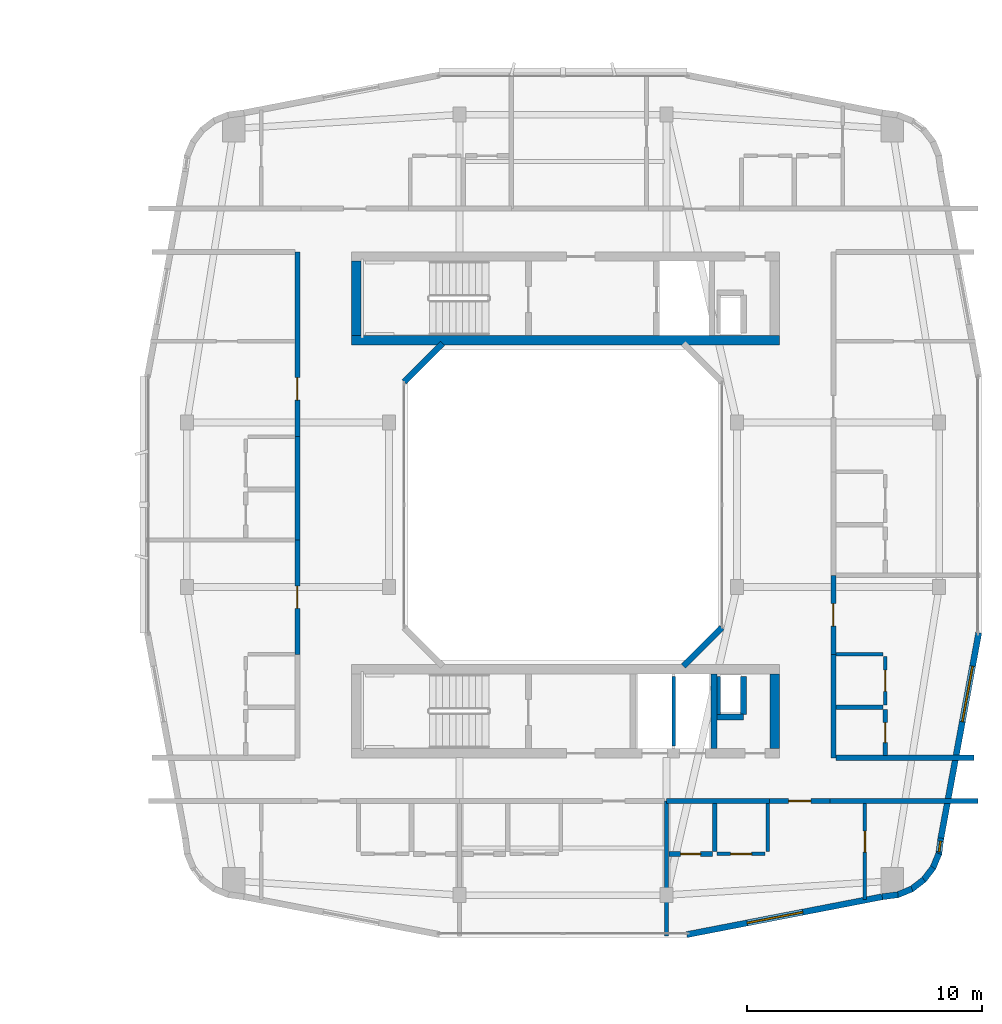
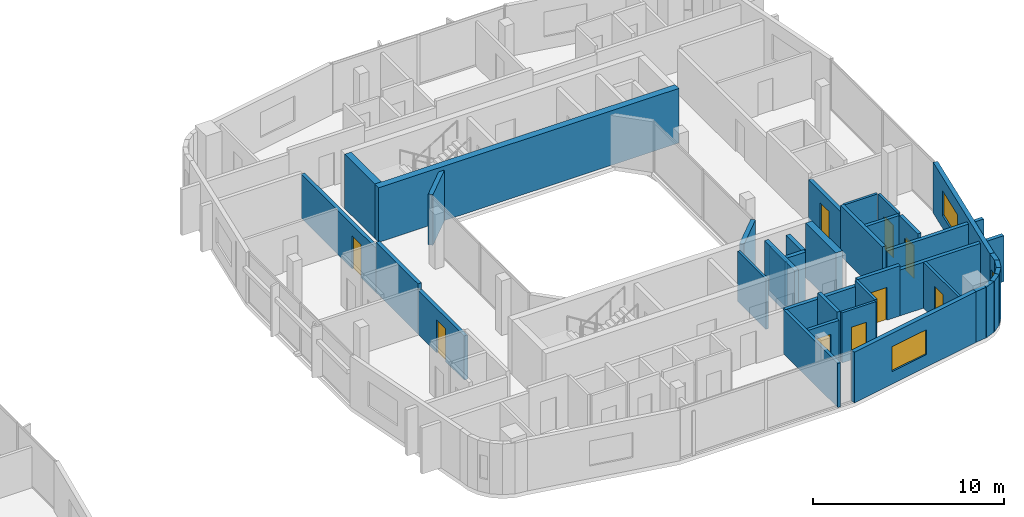
# One storey, part 18 of 26: 37 walls, 9 doors, 3 windows, 12 openings.
"""IFC4 building model written with IfcOpenShell, lengths in metres."""

from ifc_helpers import new_model, si_unit, derived_unit, direction, frame, frame_2d, origin, place, context, subcontext, project, spatial, rectangle, extrude, material, layer, layer_set, type_object, element, fill, save


model = new_model("IFC4")

# Units and contexts
model_context = context("Model", 3, precision=1e-05, world=origin(), true_north=direction((0.0, 1.0)))
body_context = subcontext(model_context, "Body", "Model", "MODEL_VIEW")
ifc_project = project(units=[si_unit("LENGTHUNIT", "METRE"), si_unit("AREAUNIT", "SQUARE_METRE"), si_unit("VOLUMEUNIT", "CUBIC_METRE"), si_unit("PLANEANGLEUNIT", "RADIAN"), si_unit("MASSUNIT", "GRAM", prefix="KILO"), derived_unit("THERMALTRANSMITTANCEUNIT", [(si_unit("POWERUNIT", "WATT"), 1), (si_unit("LENGTHUNIT", "METRE"), -2), (si_unit("THERMODYNAMICTEMPERATUREUNIT", "KELVIN"), -1)])], contexts=[model_context])

# Site, building, storey
site_placement = place(None, origin())
site = spatial("IfcSite", under=ifc_project, at=site_placement, CompositionType="ELEMENT")
building_placement = place(site_placement, origin())
building = spatial("IfcBuilding", under=site, at=building_placement, Name="Kivonza Crest Hotel", CompositionType="ELEMENT")
storey_placement = place(building_placement, frame((0.0, 0.0, 109.0)))
storey = spatial("IfcBuildingStorey", under=building, at=storey_placement, Name="L29", CompositionType="ELEMENT", Elevation=109.0)

# Walls
ifc_material_1 = material(Name="High-density acoustic masonry inter-tenancy wall", Category="masonry")
ifc_layer_1 = layer(ifc_material_1, 0.179931640625)
ifc_layer_set_1 = layer_set([ifc_layer_1], Name="High-density acoustic masonry inter-tenancy wall")
wall_type_1 = type_object("IfcWallType", Name="WL-ACOU-180", PredefinedType="SOLIDWALL", material=ifc_layer_set_1)
wall_1_placement = place(storey_placement, frame((81.39990234375, 6.659912109375, 0.0), z_axis=(0.0, 0.0, 1.0), x_axis=(0.0, 1.0, 0.0)))
element("IfcWall", 1, at=wall_1_placement, inside=storey, type_object=wall_type_1, Name="L29 interior partition WA-L29-T2S-DIV2", PredefinedType="SOLIDWALL", context=body_context, shape_type="SweptSolid", body=[
    extrude(rectangle(XDim=5.739990234375, YDim=0.179931640625, at=frame_2d((2.8701171875, 0.0))), origin(), (0.0, 0.0, 1.0), 2.824951171875),
])
ifc_material_2 = material(Name="Autoclaved aerated concrete blockwork", Category="masonry")
ifc_layer_2 = layer(ifc_material_2, 0.219970703125)
ifc_layer_set_2 = layer_set([ifc_layer_2], Name="Autoclaved aerated concrete blockwork")
wall_type_2 = type_object("IfcWallType", Name="WL-ACOU-220", PredefinedType="SOLIDWALL", material=ifc_layer_set_2)
wall_2_placement = place(storey_placement, frame((81.39990234375, 12.39990234375, 0.0), z_axis=(0.0, 0.0, 1.0), x_axis=(1.0, 0.0, 0.0)))
element("IfcWall", 2, at=wall_2_placement, inside=storey, type_object=wall_type_2, Name="L29 interior partition WA-L29-A05-LCORR", PredefinedType="SOLIDWALL", context=body_context, shape_type="SweptSolid", body=[
    extrude(rectangle(XDim=4.380126953125, YDim=0.219970703125, at=frame_2d((2.18994140625, 0.0))), origin(), (0.0, 0.0, 1.0), 2.824951171875),
])
wall_3_placement = place(storey_placement, frame((88.35009765625, 12.39990234375, 0.0), z_axis=(0.0, 0.0, 1.0), x_axis=(1.0, 0.0, 0.0)))
element("IfcWall", 3, at=wall_3_placement, inside=storey, type_object=wall_type_2, Name="L29 interior partition WA-L29-A05-RCORR", PredefinedType="SOLIDWALL", context=body_context, shape_type="SweptSolid", body=[
    extrude(rectangle(XDim=6.289794921875, YDim=0.219970703125, at=frame_2d((3.14501953125, 0.0))), origin(), (0.0, 0.0, 1.0), 2.945068359375),
])

# Wall, opening, door
wall_4_placement = place(storey_placement, frame((85.780029296875, 12.39990234375, 0.0), z_axis=(0.0, 0.0, 1.0), x_axis=(1.0, 0.0, 0.0)))
wall_4 = element("IfcWall", 4, at=wall_4_placement, inside=storey, type_object=wall_type_2, Name="L29 interior partition WA-L29-A05-MCORR", PredefinedType="SOLIDWALL", context=body_context, shape_type="SweptSolid", body=[
    extrude(rectangle(XDim=2.570068359375, YDim=0.219970703125, at=frame_2d((1.28515625, 0.0))), origin(), (0.0, 0.0, 1.0), 3.219970703125),
])
opening_1_placement = place(wall_4_placement, frame((0.81005859375, 0.0, 0.0)))
opening_1 = element("IfcOpeningElement", 5, at=opening_1_placement, cuts=wall_4, Name="Opening DU-60", PredefinedType="OPENING", context=body_context, shape_type="SweptSolid", body=[
    extrude(rectangle(XDim=0.949951171875, YDim=2.10009765625, at=frame_2d((0.47509765625, 1.050048828125))), frame((0.0, 0.1201171875, 0.0), z_axis=(0.0, -1.0, 0.0), x_axis=(1.0, 0.0, 0.0)), (0.0, 0.0, 1.0), 0.239990234375),
])
ifc_material_3 = material(Name="Hardwood timber oak", Category="wood")
door_type_1 = type_object("IfcDoorType", Name="DR-UNIT-950", OperationType="NOTDEFINED", PredefinedType="DOOR", material=ifc_material_3)
door_1_placement = place(opening_1_placement, frame((0.949951171875, 0.0, 0.0), z_axis=(0.0, 0.0, 1.0), x_axis=(-1.0, 0.0, 0.0)))
door_1 = element("IfcDoor", 6, at=door_1_placement, inside=storey, type_object=door_type_1, Name="L29 A05 apartment entrance fire door", OperationType="SINGLE_SWING_LEFT", OverallHeight=2.10009765625, OverallWidth=0.949951171875, PredefinedType="DOOR", context=body_context, shape_type="SweptSolid", body=[
    extrude(rectangle(XDim=0.949951171875, YDim=2.10009765625, at=frame_2d((0.47509765625, 1.050048828125))), frame((0.0, 0.02490234375, 0.0), z_axis=(0.0, -1.0, 0.0), x_axis=(1.0, 0.0, 0.0)), (0.0, 0.0, 1.0), 0.050048828125),
])
fill(opening_1, door_1)

wall_5_placement = place(storey_placement, frame((65.699951171875, 18.639892578125, 0.0), z_axis=(0.0, 0.0, 1.0), x_axis=(0.0, 1.0, 0.0)))
wall_5 = element("IfcWall", 7, at=wall_5_placement, inside=storey, type_object=wall_type_2, Name="L29 interior partition WA-L29-A06-MCORR", PredefinedType="SOLIDWALL", context=body_context, shape_type="SweptSolid", body=[
    extrude(rectangle(XDim=4.860107421875, YDim=0.219970703125, at=frame_2d((2.43017578125, 0.0))), origin(), (0.0, 0.0, 1.0), 2.824951171875),
])
opening_2_placement = place(wall_5_placement, frame((1.955078125, 0.0, 0.0)))
opening_2 = element("IfcOpeningElement", 8, at=opening_2_placement, cuts=wall_5, Name="Opening DU-60", PredefinedType="OPENING", context=body_context, shape_type="SweptSolid", body=[
    extrude(rectangle(XDim=0.949951171875, YDim=2.10009765625, at=frame_2d((0.47509765625, 1.050048828125))), frame((0.0, 0.1201171875, 0.0), z_axis=(0.0, -1.0, 0.0), x_axis=(1.0, 0.0, 0.0)), (0.0, 0.0, 1.0), 0.239990234375),
])
door_2_placement = place(opening_2_placement, origin())
door_2 = element("IfcDoor", 9, at=door_2_placement, inside=storey, type_object=door_type_1, Name="L29 A06 apartment entrance fire door", OperationType="SINGLE_SWING_RIGHT", OverallHeight=2.10009765625, OverallWidth=0.949951171875, PredefinedType="DOOR", context=body_context, shape_type="SweptSolid", body=[
    extrude(rectangle(XDim=0.949951171875, YDim=2.10009765625, at=frame_2d((0.47509765625, 1.050048828125))), frame((0.0, 0.02490234375, 0.0), z_axis=(0.0, -1.0, 0.0), x_axis=(1.0, 0.0, 0.0)), (0.0, 0.0, 1.0), 0.050048828125),
])
fill(opening_2, door_2)

# Wall
wall_6_placement = place(storey_placement, frame((65.699951171875, 23.5, 0.0), z_axis=(0.0, 0.0, 1.0), x_axis=(0.0, 1.0, 0.0)))
element("IfcWall", 10, at=wall_6_placement, inside=storey, type_object=wall_type_2, Name="L29 interior partition WA-L29-A07-BCORR", PredefinedType="SOLIDWALL", context=body_context, shape_type="SweptSolid", body=[
    extrude(rectangle(XDim=4.39990234375, YDim=0.219970703125, at=frame_2d((2.199951171875, 0.0))), origin(), (0.0, 0.0, 1.0), 3.219970703125),
])

# Wall, opening, door
wall_7_placement = place(storey_placement, frame((65.699951171875, 27.89990234375, 0.0), z_axis=(0.0, 0.0, 1.0), x_axis=(0.0, 1.0, 0.0)))
wall_7 = element("IfcWall", 11, at=wall_7_placement, inside=storey, type_object=wall_type_2, Name="L29 interior partition WA-L29-A07-MCORR", PredefinedType="SOLIDWALL", context=body_context, shape_type="SweptSolid", body=[
    extrude(rectangle(XDim=7.860107421875, YDim=0.219970703125, at=frame_2d((3.93017578125, 0.0))), origin(), (0.0, 0.0, 1.0), 2.824951171875),
])
opening_3_placement = place(wall_7_placement, frame((1.554931640625, 0.0, 0.0)))
opening_3 = element("IfcOpeningElement", 12, at=opening_3_placement, cuts=wall_7, Name="Opening DU-60", PredefinedType="OPENING", context=body_context, shape_type="SweptSolid", body=[
    extrude(rectangle(XDim=0.949951171875, YDim=2.10009765625, at=frame_2d((0.47509765625, 1.050048828125))), frame((0.0, 0.1201171875, 0.0), z_axis=(0.0, -1.0, 0.0), x_axis=(1.0, 0.0, 0.0)), (0.0, 0.0, 1.0), 0.239990234375),
])
door_3_placement = place(opening_3_placement, origin())
door_3 = element("IfcDoor", 13, at=door_3_placement, inside=storey, type_object=door_type_1, Name="L29 A07 apartment entrance fire door", OperationType="SINGLE_SWING_LEFT", OverallHeight=2.10009765625, OverallWidth=0.949951171875, PredefinedType="DOOR", context=body_context, shape_type="SweptSolid", body=[
    extrude(rectangle(XDim=0.949951171875, YDim=2.10009765625, at=frame_2d((0.47509765625, 1.050048828125))), frame((0.0, 0.02490234375, 0.0), z_axis=(0.0, -1.0, 0.0), x_axis=(1.0, 0.0, 0.0)), (0.0, 0.0, 1.0), 0.050048828125),
])
fill(opening_3, door_3)

# Walls
wall_8_placement = place(storey_placement, frame((88.60009765625, 14.239990234375, 0.0), z_axis=(0.0, 0.0, 1.0), x_axis=(1.0, 0.0, 0.0)))
element("IfcWall", 14, at=wall_8_placement, inside=storey, type_object=wall_type_2, Name="L29 interior partition WA-L29-T2E-ENDS", PredefinedType="SOLIDWALL", context=body_context, shape_type="SweptSolid", body=[
    extrude(rectangle(XDim=5.8798828125, YDim=0.219970703125, at=frame_2d((2.93994140625, 0.0))), origin(), (0.0, 0.0, 1.0), 2.945068359375),
])
wall_9_placement = place(storey_placement, frame((88.5, 14.239990234375, 0.0), z_axis=(0.0, 0.0, 1.0), x_axis=(0.0, 1.0, 0.0)))
element("IfcWall", 15, at=wall_9_placement, inside=storey, type_object=wall_type_2, Name="L29 interior partition WA-L29-A08-BCORR", PredefinedType="SOLIDWALL", context=body_context, shape_type="SweptSolid", body=[
    extrude(rectangle(XDim=4.39990234375, YDim=0.219970703125, at=frame_2d((2.199951171875, 0.0))), origin(), (0.0, 0.0, 1.0), 3.219970703125),
])

# Wall, opening, door
wall_10_placement = place(storey_placement, frame((88.5, 18.639892578125, 0.0), z_axis=(0.0, 0.0, 1.0), x_axis=(0.0, 1.0, 0.0)))
wall_10 = element("IfcWall", 16, at=wall_10_placement, inside=storey, type_object=wall_type_2, Name="L29 interior partition WA-L29-A08-MCORR", PredefinedType="SOLIDWALL", context=body_context, shape_type="SweptSolid", body=[
    extrude(rectangle(XDim=3.360107421875, YDim=0.219970703125, at=frame_2d((1.68017578125, 0.0))), origin(), (0.0, 0.0, 1.0), 2.824951171875),
])
opening_4_placement = place(wall_10_placement, frame((1.205078125, 0.0, 0.0)))
opening_4 = element("IfcOpeningElement", 17, at=opening_4_placement, cuts=wall_10, Name="Opening DU-60", PredefinedType="OPENING", context=body_context, shape_type="SweptSolid", body=[
    extrude(rectangle(XDim=0.949951171875, YDim=2.10009765625, at=frame_2d((0.47509765625, 1.050048828125))), frame((0.0, 0.1201171875, 0.0), z_axis=(0.0, -1.0, 0.0), x_axis=(1.0, 0.0, 0.0)), (0.0, 0.0, 1.0), 0.239990234375),
])
door_4_placement = place(opening_4_placement, frame((0.949951171875, 0.0, 0.0), z_axis=(0.0, 0.0, 1.0), x_axis=(-1.0, 0.0, 0.0)))
door_4 = element("IfcDoor", 18, at=door_4_placement, inside=storey, type_object=door_type_1, Name="L29 A08 apartment entrance fire door", OperationType="SINGLE_SWING_RIGHT", OverallHeight=2.10009765625, OverallWidth=0.949951171875, PredefinedType="DOOR", context=body_context, shape_type="SweptSolid", body=[
    extrude(rectangle(XDim=0.949951171875, YDim=2.10009765625, at=frame_2d((0.47509765625, 1.050048828125))), frame((0.0, 0.02490234375, 0.0), z_axis=(0.0, -1.0, 0.0), x_axis=(1.0, 0.0, 0.0)), (0.0, 0.0, 1.0), 0.050048828125),
])
fill(opening_4, door_4)

# Walls
ifc_material_4 = material(Name="Concrete C50/60", Category="concrete")
ifc_layer_3 = layer(ifc_material_4, 0.39990234375)
ifc_layer_set_3 = layer_set([ifc_layer_3], Name="Concrete C50/60")
wall_type_3 = type_object("IfcWallType", Name="WL-CORE-400", PredefinedType="SHEAR", material=ifc_layer_set_3)
wall_11_placement = place(storey_placement, frame((68.0, 32.0, 0.0), z_axis=(0.0, 0.0, 1.0), x_axis=(1.0, 0.0, 0.0)))
element("IfcWall", 19, at=wall_11_placement, inside=storey, type_object=wall_type_3, Name="Core wall T2-N South L29", PredefinedType="SHEAR", context=body_context, shape_type="SweptSolid", body=[
    extrude(rectangle(XDim=18.199951171875, YDim=0.39990234375, at=frame_2d((9.10009765625, 0.0))), origin(), (0.0, 0.0, 1.0), 3.5),
])
for number, where, z_axis, x_axis, name in (
    (20, (68.199951171875, 32.199951171875, 0.0), (0.0, 0.0, 1.0), (0.0, 1.0, 0.0), "Core wall T2-N West L29"),
    (21, (86.0, 14.639892578125, 0.0), (0.0, 0.0, 1.0), (0.0, 1.0, 0.0), "Core wall T2-S East L29"),
):
    element("IfcWall", number, at=place(storey_placement, frame(where, z_axis=z_axis, x_axis=x_axis)), inside=storey, type_object=wall_type_3, Name=name, PredefinedType="SHEAR", context=body_context, shape_type="SweptSolid", body=[
        extrude(rectangle(XDim=3.16015625, YDim=0.39990234375, at=frame_2d((1.580078125, 0.0))), origin(), (0.0, 0.0, 1.0), 3.5),
    ])

# Wall, opening, window
ifc_material_5 = material(Name="Precast concrete C40/50", Category="concrete")
ifc_layer_4 = layer(ifc_material_5, 0.260009765625)
ifc_layer_set_4 = layer_set([ifc_layer_4], Name="Precast concrete C40/50")
wall_type_4 = type_object("IfcWallType", Name="WL-EXT-260", PredefinedType="STANDARD", material=ifc_layer_set_4)
wall_12_placement = place(storey_placement, frame((82.260986328125, 6.718017578125, 0.0), z_axis=(0.0, 0.0, 1.0), x_axis=(0.981750199588, 0.190175039396, 0.0)))
wall_12 = element("IfcWall", 22, at=wall_12_placement, inside=storey, type_object=wall_type_4, Name="L29 T2 exterior insulated wall 9", PredefinedType="STANDARD", context=body_context, shape_type="SweptSolid", body=[
    extrude(rectangle(XDim=8.476806640625, YDim=0.260009765625, at=frame_2d((4.23828125, 0.0))), origin(), (0.0, 0.0, 1.0), 3.25),
])
opening_5_placement = place(wall_12_placement, frame((2.623046875, 0.0, 0.800048828125)))
opening_5 = element("IfcOpeningElement", 23, at=opening_5_placement, cuts=wall_12, Name="Opening WN-05", PredefinedType="OPENING", context=body_context, shape_type="SweptSolid", body=[
    extrude(rectangle(XDim=2.39990234375, YDim=1.60009765625, at=frame_2d((1.199951171875, 0.800048828125))), frame((0.0, 0.14013671875, 0.0), z_axis=(0.0, -1.0, 0.0), x_axis=(1.0, 0.0, 0.0)), (0.0, 0.0, 1.0), 0.280029296875),
])
ifc_material_6 = material(Name="Thermally broken bronze aluminium and low-E double glazing", Category="aluminium")
window_type_1 = type_object("IfcWindowType", Name="WN-240x160", PartitioningType="TRIPLE_PANEL_VERTICAL", PredefinedType="WINDOW", material=ifc_material_6)
window_1_placement = place(opening_5_placement, origin())
window_1 = element("IfcWindow", 24, at=window_1_placement, inside=storey, type_object=window_type_1, Name="L29 T2 facade window 9", OverallHeight=1.60009765625, OverallWidth=2.39990234375, PartitioningType="SINGLE_PANEL", PredefinedType="WINDOW", context=body_context, shape_type="SweptSolid", body=[
    extrude(rectangle(XDim=2.39990234375, YDim=1.60009765625, at=frame_2d((1.199951171875, 0.800048828125))), frame((0.0, 0.030029296875, 0.0), z_axis=(0.0, -1.0, 0.0), x_axis=(1.0, 0.0, 0.0)), (0.0, 0.0, 1.0), 0.06005859375),
])
fill(opening_5, window_1)

# Walls
wall_13_placement = place(storey_placement, frame((90.574951171875, 8.327880859375, 0.0), z_axis=(0.0, 0.0, 1.0), x_axis=(0.991300187529, 0.13162043232, 0.0)))
element("IfcWall", 25, at=wall_13_placement, inside=storey, type_object=wall_type_4, Name="L29 T2 exterior insulated wall 10", PredefinedType="STANDARD", context=body_context, shape_type="SweptSolid", body=[
    extrude(rectangle(XDim=0.677001953125, YDim=0.260009765625, at=frame_2d((0.33837890625, 0.0))), origin(), (0.0, 0.0, 1.0), 3.25),
])
for number, where, z_axis, x_axis, name in (
    (26, (91.199951171875, 8.39892578125, 0.0), (0.0, 0.0, 1.0), (0.924093981904, 0.382165294877, 0.0), "L29 T2 exterior insulated wall 11"),
    (27, (91.801025390625, 8.635986328125, 0.0), (0.0, 0.0, 1.0), (0.792637067512, 0.609693758543, 0.0), "L29 T2 exterior insulated wall 12"),
    (28, (92.320068359375, 9.02099609375, 0.0), (0.0, 0.0, 1.0), (0.609472651958, 0.792807092876, 0.0), "L29 T2 exterior insulated wall 13"),
):
    element("IfcWall", number, at=place(storey_placement, frame(where, z_axis=z_axis, x_axis=x_axis)), inside=storey, type_object=wall_type_4, Name=name, PredefinedType="STANDARD", context=body_context, shape_type="SweptSolid", body=[
        extrude(rectangle(XDim=0.69384765625, YDim=0.260009765625, at=frame_2d((0.346923828125, 0.0))), origin(), (0.0, 0.0, 1.0), 3.25),
    ])
wall_14_placement = place(storey_placement, frame((92.721923828125, 9.527099609375, 0.0), z_axis=(0.0, 0.0, 1.0), x_axis=(0.382289608286, 0.924042561464, 0.0)))
element("IfcWall", 29, at=wall_14_placement, inside=storey, type_object=wall_type_4, Name="L29 T2 exterior insulated wall 14", PredefinedType="STANDARD", context=body_context, shape_type="SweptSolid", body=[
    extrude(rectangle(XDim=0.693603515625, YDim=0.260009765625, at=frame_2d((0.3466796875, 0.0))), origin(), (0.0, 0.0, 1.0), 3.25),
])

# Wall, opening, window
wall_15_placement = place(storey_placement, frame((92.97900390625, 10.118896484375, 0.0), z_axis=(0.0, 0.0, 1.0), x_axis=(0.130614135366, 0.991433279471, 0.0)))
wall_15 = element("IfcWall", 30, at=wall_15_placement, inside=storey, type_object=wall_type_4, Name="L29 T2 exterior insulated wall 15", PredefinedType="STANDARD", context=body_context, shape_type="SweptSolid", body=[
    extrude(rectangle(XDim=0.712158203125, YDim=0.260009765625, at=frame_2d((0.35595703125, 0.0))), origin(), (0.0, 0.0, 1.0), 3.25),
])
opening_6_placement = place(wall_15_placement, frame((0.131103515625, 0.0, 0.85009765625)))
opening_6 = element("IfcOpeningElement", 31, at=opening_6_placement, cuts=wall_15, Name="Opening WN-11", PredefinedType="OPENING", context=body_context, shape_type="SweptSolid", body=[
    extrude(rectangle(XDim=0.449951171875, YDim=1.5, at=frame_2d((0.22509765625, 0.75))), frame((0.0, 0.14013671875, 0.0), z_axis=(0.0, -1.0, 0.0), x_axis=(1.0, 0.0, 0.0)), (0.0, 0.0, 1.0), 0.280029296875),
])
window_type_2 = type_object("IfcWindowType", Name="WN-045x150", PartitioningType="SINGLE_PANEL", PredefinedType="WINDOW", material=ifc_material_6)
window_2_placement = place(opening_6_placement, origin())
window_2 = element("IfcWindow", 32, at=window_2_placement, inside=storey, type_object=window_type_2, Name="L29 corner vision window 5", OverallHeight=1.5, OverallWidth=0.449951171875, PartitioningType="SINGLE_PANEL", PredefinedType="WINDOW", context=body_context, shape_type="SweptSolid", body=[
    extrude(rectangle(XDim=0.449951171875, YDim=1.5, at=frame_2d((0.22509765625, 0.75))), frame((0.0, 0.030029296875, 0.0), z_axis=(0.0, -1.0, 0.0), x_axis=(1.0, 0.0, 0.0)), (0.0, 0.0, 1.0), 0.06005859375),
])
fill(opening_6, window_2)

wall_16_placement = place(storey_placement, frame((93.071044921875, 10.81591796875, 0.0), z_axis=(0.0, 0.0, 1.0), x_axis=(0.181209963057, 0.983444431215, 0.0)))
wall_16 = element("IfcWall", 33, at=wall_16_placement, inside=storey, type_object=wall_type_4, Name="L29 T2 exterior insulated wall 16", PredefinedType="STANDARD", context=body_context, shape_type="SweptSolid", body=[
    extrude(rectangle(XDim=8.889404296875, YDim=0.260009765625, at=frame_2d((4.44482421875, 0.0))), origin(), (0.0, 0.0, 1.0), 3.25),
])
opening_7_placement = place(wall_16_placement, frame((5.044921875, 0.0, 0.800048828125)))
opening_7 = element("IfcOpeningElement", 34, at=opening_7_placement, cuts=wall_16, Name="Opening WN-05", PredefinedType="OPENING", context=body_context, shape_type="SweptSolid", body=[
    extrude(rectangle(XDim=2.39990234375, YDim=1.60009765625, at=frame_2d((1.199951171875, 0.800048828125))), frame((0.0, 0.14013671875, 0.0), z_axis=(0.0, -1.0, 0.0), x_axis=(1.0, 0.0, 0.0)), (0.0, 0.0, 1.0), 0.280029296875),
])
window_3_placement = place(opening_7_placement, origin())
window_3 = element("IfcWindow", 35, at=window_3_placement, inside=storey, type_object=window_type_1, Name="L29 T2 facade window 16", OverallHeight=1.60009765625, OverallWidth=2.39990234375, PartitioningType="SINGLE_PANEL", PredefinedType="WINDOW", context=body_context, shape_type="SweptSolid", body=[
    extrude(rectangle(XDim=2.39990234375, YDim=1.60009765625, at=frame_2d((1.199951171875, 0.800048828125))), frame((0.0, 0.030029296875, 0.0), z_axis=(0.0, -1.0, 0.0), x_axis=(1.0, 0.0, 0.0)), (0.0, 0.0, 1.0), 0.06005859375),
])
fill(opening_7, window_3)

# Walls
for number, where, z_axis, x_axis, name in (
    (36, (82.1220703125, 18.137939453125, 0.0), (0.0, 0.0, 1.0), (0.707106781187, 0.707106781187, 0.0), "L29 T2 light-well exterior wall 2"),
    (37, (71.8779296875, 31.862060546875, 0.0), (0.0, 0.0, 1.0), (-0.707106781187, -0.707106781187, 0.0), "L29 T2 light-well exterior wall 6"),
):
    element("IfcWall", number, at=place(storey_placement, frame(where, z_axis=z_axis, x_axis=x_axis)), inside=storey, type_object=wall_type_4, Name=name, PredefinedType="STANDARD", context=body_context, shape_type="SweptSolid", body=[
        extrude(rectangle(XDim=2.310791015625, YDim=0.260009765625, at=frame_2d((1.1552734375, 0.0))), origin(), (0.0, 0.0, 1.0), 3.25),
    ])
ifc_material_7 = material(Name="Concrete blockwork fire-compartment wall", Category="masonry")
ifc_layer_5 = layer(ifc_material_7, 0.25)
ifc_layer_set_5 = layer_set([ifc_layer_5], Name="Concrete blockwork fire-compartment wall")
wall_type_5 = type_object("IfcWallType", Name="WL-FIRE-250", PredefinedType="SOLIDWALL", material=ifc_layer_set_5)
wall_17_placement = place(storey_placement, frame((84.679931640625, 16.080078125, 0.0), z_axis=(0.0, 0.0, 1.0), x_axis=(0.0, 1.0, 0.0)))
element("IfcWall", 38, at=wall_17_placement, inside=storey, type_object=wall_type_5, Name="L29 interior partition WA-L29-T2-S-MEPR-E", PredefinedType="SOLIDWALL", context=body_context, shape_type="SweptSolid", body=[
    extrude(rectangle(XDim=1.619873046875, YDim=0.25, at=frame_2d((0.81005859375, 0.0))), origin(), (0.0, 0.0, 1.0), 3.219970703125),
])
wall_18_placement = place(storey_placement, frame((83.550048828125, 15.97998046875, 0.0), z_axis=(0.0, 0.0, 1.0), x_axis=(1.0, 0.0, 0.0)))
element("IfcWall", 39, at=wall_18_placement, inside=storey, type_object=wall_type_5, Name="L29 interior partition WA-L29-T2-S-MEPR-H", PredefinedType="SOLIDWALL", context=body_context, shape_type="SweptSolid", body=[
    extrude(rectangle(XDim=1.1298828125, YDim=0.25, at=frame_2d((0.56494140625, 0.0))), origin(), (0.0, 0.0, 1.0), 3.219970703125),
])
ifc_material_8 = material(Name="Twin-stud acoustic gypsum board partition", Category="gypsum")
ifc_layer_6 = layer(ifc_material_8, 0.14990234375)
ifc_layer_set_6 = layer_set([ifc_layer_6], Name="Twin-stud acoustic gypsum board partition")
wall_type_6 = type_object("IfcWallType", Name="WL-PART-150", PredefinedType="PARTITIONING", material=ifc_layer_set_6)
wall_19_placement = place(storey_placement, frame((83.6298828125, 16.080078125, 0.0), z_axis=(0.0, 0.0, 1.0), x_axis=(0.0, 1.0, 0.0)))
element("IfcWall", 40, at=wall_19_placement, inside=storey, type_object=wall_type_6, Name="L29 interior partition WA-L29-T2-S-MEPR-W", PredefinedType="PARTITIONING", context=body_context, shape_type="SweptSolid", body=[
    extrude(rectangle(XDim=1.619873046875, YDim=0.14990234375, at=frame_2d((0.81005859375, 0.0))), origin(), (0.0, 0.0, 1.0), 2.824951171875),
])
wall_20_placement = place(storey_placement, frame((81.699951171875, 14.739990234375, 0.0), z_axis=(0.0, 0.0, 1.0), x_axis=(0.0, 1.0, 0.0)))
element("IfcWall", 41, at=wall_20_placement, inside=storey, type_object=wall_type_6, Name="L29 interior partition WP-L29-T2-S-BSH-1", PredefinedType="PARTITIONING", context=body_context, shape_type="SweptSolid", body=[
    extrude(rectangle(XDim=2.9599609375, YDim=0.14990234375, at=frame_2d((1.47998046875, 0.0))), origin(), (0.0, 0.0, 1.0), 3.219970703125),
])

# Wall, opening, door
wall_21_placement = place(storey_placement, frame((89.840087890625, 8.214111328125, 0.0), z_axis=(0.0, 0.0, 1.0), x_axis=(0.0, 1.0, 0.0)))
wall_21 = element("IfcWall", 42, at=wall_21_placement, inside=storey, type_object=wall_type_6, Name="L29 interior partition WP-L29-A05-BDW1", PredefinedType="PARTITIONING", context=body_context, shape_type="SweptSolid", body=[
    extrude(rectangle(XDim=4.0859375, YDim=0.14990234375, at=frame_2d((2.04296875, 0.0))), origin(), (0.0, 0.0, 1.0), 2.945068359375),
])
opening_8_placement = place(wall_21_placement, frame((2.010009765625, 0.0, 0.0)))
opening_8 = element("IfcOpeningElement", 43, at=opening_8_placement, cuts=wall_21, Name="Opening DI-90", PredefinedType="OPENING", context=body_context, shape_type="SweptSolid", body=[
    extrude(rectangle(XDim=0.89990234375, YDim=2.10009765625, at=frame_2d((0.449951171875, 1.050048828125))), frame((0.0, 0.0849609375, 0.0), z_axis=(0.0, -1.0, 0.0), x_axis=(1.0, 0.0, 0.0)), (0.0, 0.0, 1.0), 0.169921875),
])
door_type_2 = type_object("IfcDoorType", Name="DR-INT-900", OperationType="NOTDEFINED", PredefinedType="DOOR", material=ifc_material_3)
door_5_placement = place(opening_8_placement, origin())
door_5 = element("IfcDoor", 44, at=door_5_placement, inside=storey, type_object=door_type_2, Name="L29 A05 bedroom 1 door", OperationType="SINGLE_SWING_RIGHT", OverallHeight=2.10009765625, OverallWidth=0.89990234375, PredefinedType="DOOR", context=body_context, shape_type="SweptSolid", body=[
    extrude(rectangle(XDim=0.89990234375, YDim=2.10009765625, at=frame_2d((0.449951171875, 1.050048828125))), frame((0.0, 0.02490234375, 0.0), z_axis=(0.0, -1.0, 0.0), x_axis=(1.0, 0.0, 0.0)), (0.0, 0.0, 1.0), 0.050048828125),
])
fill(opening_8, door_5)

# Wall
wall_22_placement = place(storey_placement, frame((85.699951171875, 10.25, 0.0), z_axis=(0.0, 0.0, 1.0), x_axis=(0.0, 1.0, 0.0)))
element("IfcWall", 45, at=wall_22_placement, inside=storey, type_object=wall_type_6, Name="L29 interior partition WP-L29-A05-KF", PredefinedType="PARTITIONING", context=body_context, shape_type="SweptSolid", body=[
    extrude(rectangle(XDim=2.050048828125, YDim=0.14990234375, at=frame_2d((1.02490234375, 0.0))), origin(), (0.0, 0.0, 1.0), 3.219970703125),
])

# Wall, opening, door
wall_23_placement = place(storey_placement, frame((83.550048828125, 10.14990234375, 0.0), z_axis=(0.0, 0.0, 1.0), x_axis=(1.0, 0.0, 0.0)))
wall_23 = element("IfcWall", 46, at=wall_23_placement, inside=storey, type_object=wall_type_6, Name="L29 interior partition WP-L29-A05-KSVC", PredefinedType="PARTITIONING", context=body_context, shape_type="SweptSolid", body=[
    extrude(rectangle(XDim=2.050048828125, YDim=0.14990234375, at=frame_2d((1.02490234375, 0.0))), origin(), (0.0, 0.0, 1.0), 3.219970703125),
])
opening_9_placement = place(wall_23_placement, frame((0.574951171875, 0.0, 0.0)))
opening_9 = element("IfcOpeningElement", 47, at=opening_9_placement, cuts=wall_23, Name="Opening DI-90", PredefinedType="OPENING", context=body_context, shape_type="SweptSolid", body=[
    extrude(rectangle(XDim=0.89990234375, YDim=2.10009765625, at=frame_2d((0.449951171875, 1.050048828125))), frame((0.0, 0.0849609375, 0.0), z_axis=(0.0, -1.0, 0.0), x_axis=(1.0, 0.0, 0.0)), (0.0, 0.0, 1.0), 0.169921875),
])
door_6_placement = place(opening_9_placement, frame((0.89990234375, 0.0, 0.0), z_axis=(0.0, 0.0, 1.0), x_axis=(-1.0, 0.0, 0.0)))
door_6 = element("IfcDoor", 48, at=door_6_placement, inside=storey, type_object=door_type_2, Name="L29 A05 apartment kitchen door", OperationType="SINGLE_SWING_LEFT", OverallHeight=2.10009765625, OverallWidth=0.89990234375, PredefinedType="DOOR", context=body_context, shape_type="SweptSolid", body=[
    extrude(rectangle(XDim=0.89990234375, YDim=2.10009765625, at=frame_2d((0.449951171875, 1.050048828125))), frame((0.0, 0.02490234375, 0.0), z_axis=(0.0, -1.0, 0.0), x_axis=(1.0, 0.0, 0.0)), (0.0, 0.0, 1.0), 0.050048828125),
])
fill(opening_9, door_6)

# Wall
wall_24_placement = place(storey_placement, frame((88.60009765625, 18.639892578125, 0.0), z_axis=(0.0, 0.0, 1.0), x_axis=(1.0, 0.0, 0.0)))
element("IfcWall", 49, at=wall_24_placement, inside=storey, type_object=wall_type_6, Name="L29 interior partition WP-L29-A08-KF", PredefinedType="PARTITIONING", context=body_context, shape_type="SweptSolid", body=[
    extrude(rectangle(XDim=2.0, YDim=0.14990234375, at=frame_2d((1.0, 0.0))), origin(), (0.0, 0.0, 1.0), 3.219970703125),
])

# Wall, opening, door
wall_25_placement = place(storey_placement, frame((90.699951171875, 16.489990234375, 0.0), z_axis=(0.0, 0.0, 1.0), x_axis=(0.0, 1.0, 0.0)))
wall_25 = element("IfcWall", 50, at=wall_25_placement, inside=storey, type_object=wall_type_6, Name="L29 interior partition WP-L29-A08-KSVC", PredefinedType="PARTITIONING", context=body_context, shape_type="SweptSolid", body=[
    extrude(rectangle(XDim=2.050048828125, YDim=0.14990234375, at=frame_2d((1.02490234375, 0.0))), origin(), (0.0, 0.0, 1.0), 3.219970703125),
])
opening_10_placement = place(wall_25_placement, frame((0.574951171875, 0.0, 0.0)))
opening_10 = element("IfcOpeningElement", 51, at=opening_10_placement, cuts=wall_25, Name="Opening DI-90", PredefinedType="OPENING", context=body_context, shape_type="SweptSolid", body=[
    extrude(rectangle(XDim=0.89990234375, YDim=2.10009765625, at=frame_2d((0.449951171875, 1.050048828125))), frame((0.0, 0.0849609375, 0.0), z_axis=(0.0, -1.0, 0.0), x_axis=(1.0, 0.0, 0.0)), (0.0, 0.0, 1.0), 0.169921875),
])
door_7_placement = place(opening_10_placement, frame((0.89990234375, 0.0, 0.0), z_axis=(0.0, 0.0, 1.0), x_axis=(-1.0, 0.0, 0.0)))
door_7 = element("IfcDoor", 52, at=door_7_placement, inside=storey, type_object=door_type_2, Name="L29 A08 apartment kitchen door", OperationType="SINGLE_SWING_RIGHT", OverallHeight=2.10009765625, OverallWidth=0.89990234375, PredefinedType="DOOR", context=body_context, shape_type="SweptSolid", body=[
    extrude(rectangle(XDim=0.89990234375, YDim=2.10009765625, at=frame_2d((0.449951171875, 1.050048828125))), frame((0.0, 0.02490234375, 0.0), z_axis=(0.0, -1.0, 0.0), x_axis=(1.0, 0.0, 0.0)), (0.0, 0.0, 1.0), 0.050048828125),
])
fill(opening_10, door_7)

# Wall
ifc_material_9 = material(Name="Moisture-resistant plumbing chase partition wall", Category="gypsum")
ifc_layer_7 = layer(ifc_material_9, 0.199951171875)
ifc_layer_set_7 = layer_set([ifc_layer_7], Name="Moisture-resistant plumbing chase partition wall")
wall_type_7 = type_object("IfcWallType", Name="WL-PLUMB-200", PredefinedType="PLUMBINGWALL", material=ifc_layer_set_7)
wall_26_placement = place(storey_placement, frame((83.449951171875, 10.25, 0.0), z_axis=(0.0, 0.0, 1.0), x_axis=(0.0, 1.0, 0.0)))
element("IfcWall", 53, at=wall_26_placement, inside=storey, type_object=wall_type_7, Name="L29 interior partition WW-L29-A05-BK", PredefinedType="PLUMBINGWALL", context=body_context, shape_type="SweptSolid", body=[
    extrude(rectangle(XDim=2.050048828125, YDim=0.199951171875, at=frame_2d((1.02490234375, 0.0))), origin(), (0.0, 0.0, 1.0), 3.219970703125),
])

# Wall, opening, door
wall_27_placement = place(storey_placement, frame((81.5, 10.14990234375, 0.0), z_axis=(0.0, 0.0, 1.0), x_axis=(1.0, 0.0, 0.0)))
wall_27 = element("IfcWall", 54, at=wall_27_placement, inside=storey, type_object=wall_type_7, Name="L29 interior partition WW-L29-A05-BSVC", PredefinedType="PLUMBINGWALL", context=body_context, shape_type="SweptSolid", body=[
    extrude(rectangle(XDim=1.85009765625, YDim=0.199951171875, at=frame_2d((0.925048828125, 0.0))), origin(), (0.0, 0.0, 1.0), 2.824951171875),
])
opening_11_placement = place(wall_27_placement, frame((0.5, 0.0, 0.0)))
opening_11 = element("IfcOpeningElement", 55, at=opening_11_placement, cuts=wall_27, Name="Opening DI-85", PredefinedType="OPENING", context=body_context, shape_type="SweptSolid", body=[
    extrude(rectangle(XDim=0.85009765625, YDim=2.10009765625, at=frame_2d((0.425048828125, 1.050048828125))), frame((0.0, 0.10986328125, 0.0), z_axis=(0.0, -1.0, 0.0), x_axis=(1.0, 0.0, 0.0)), (0.0, 0.0, 1.0), 0.219970703125),
])
door_type_3 = type_object("IfcDoorType", Name="DR-INT-850", OperationType="NOTDEFINED", PredefinedType="DOOR", material=ifc_material_3)
door_8_placement = place(opening_11_placement, frame((0.85009765625, 0.0, 0.0), z_axis=(0.0, 0.0, 1.0), x_axis=(-1.0, 0.0, 0.0)))
door_8 = element("IfcDoor", 56, at=door_8_placement, inside=storey, type_object=door_type_3, Name="L29 A05 apartment bathroom door", OperationType="SINGLE_SWING_RIGHT", OverallHeight=2.10009765625, OverallWidth=0.85009765625, PredefinedType="DOOR", context=body_context, shape_type="SweptSolid", body=[
    extrude(rectangle(XDim=0.85009765625, YDim=2.10009765625, at=frame_2d((0.425048828125, 1.050048828125))), frame((0.0, 0.02490234375, 0.0), z_axis=(0.0, -1.0, 0.0), x_axis=(1.0, 0.0, 0.0)), (0.0, 0.0, 1.0), 0.050048828125),
])
fill(opening_11, door_8)

# Wall
wall_28_placement = place(storey_placement, frame((88.60009765625, 16.389892578125, 0.0), z_axis=(0.0, 0.0, 1.0), x_axis=(1.0, 0.0, 0.0)))
element("IfcWall", 57, at=wall_28_placement, inside=storey, type_object=wall_type_7, Name="L29 interior partition WW-L29-A08-BK", PredefinedType="PLUMBINGWALL", context=body_context, shape_type="SweptSolid", body=[
    extrude(rectangle(XDim=2.0, YDim=0.199951171875, at=frame_2d((1.0, 0.0))), origin(), (0.0, 0.0, 1.0), 3.219970703125),
])

# Wall, opening, door
wall_29_placement = place(storey_placement, frame((90.699951171875, 14.340087890625, 0.0), z_axis=(0.0, 0.0, 1.0), x_axis=(0.0, 1.0, 0.0)))
wall_29 = element("IfcWall", 58, at=wall_29_placement, inside=storey, type_object=wall_type_7, Name="L29 interior partition WW-L29-A08-BSVC", PredefinedType="PLUMBINGWALL", context=body_context, shape_type="SweptSolid", body=[
    extrude(rectangle(XDim=1.949951171875, YDim=0.199951171875, at=frame_2d((0.97509765625, 0.0))), origin(), (0.0, 0.0, 1.0), 3.219970703125),
])
opening_12_placement = place(wall_29_placement, frame((0.550048828125, 0.0, 0.0)))
opening_12 = element("IfcOpeningElement", 59, at=opening_12_placement, cuts=wall_29, Name="Opening DI-85", PredefinedType="OPENING", context=body_context, shape_type="SweptSolid", body=[
    extrude(rectangle(XDim=0.85009765625, YDim=2.10009765625, at=frame_2d((0.425048828125, 1.050048828125))), frame((0.0, 0.10986328125, 0.0), z_axis=(0.0, -1.0, 0.0), x_axis=(1.0, 0.0, 0.0)), (0.0, 0.0, 1.0), 0.219970703125),
])
door_9_placement = place(opening_12_placement, frame((0.85009765625, 0.0, 0.0), z_axis=(0.0, 0.0, 1.0), x_axis=(-1.0, 0.0, 0.0)))
door_9 = element("IfcDoor", 60, at=door_9_placement, inside=storey, type_object=door_type_3, Name="L29 A08 apartment bathroom door", OperationType="SINGLE_SWING_LEFT", OverallHeight=2.10009765625, OverallWidth=0.85009765625, PredefinedType="DOOR", context=body_context, shape_type="SweptSolid", body=[
    extrude(rectangle(XDim=0.85009765625, YDim=2.10009765625, at=frame_2d((0.425048828125, 1.050048828125))), frame((0.0, 0.02490234375, 0.0), z_axis=(0.0, -1.0, 0.0), x_axis=(1.0, 0.0, 0.0)), (0.0, 0.0, 1.0), 0.050048828125),
])
fill(opening_12, door_9)

# Wall
ifc_layer_8 = layer(ifc_material_4, 0.25)
ifc_layer_set_8 = layer_set([ifc_layer_8], Name="Concrete C50/60")
wall_type_8 = type_object("IfcWallType", Name="WL-SHAFT-250", PredefinedType="STANDARD", material=ifc_layer_set_8)
wall_30_placement = place(storey_placement, frame((83.425048828125, 14.639892578125, 0.0), z_axis=(0.0, 0.0, 1.0), x_axis=(0.0, 1.0, 0.0)))
element("IfcWall", 61, at=wall_30_placement, inside=storey, type_object=wall_type_8, Name="Core shaft wall T2-S BANK-E L29", PredefinedType="STANDARD", context=body_context, shape_type="SweptSolid", body=[
    extrude(rectangle(XDim=3.16015625, YDim=0.25, at=frame_2d((1.580078125, 0.0))), origin(), (0.0, 0.0, 1.0), 3.25),
])

save(model, "model.ifc")
